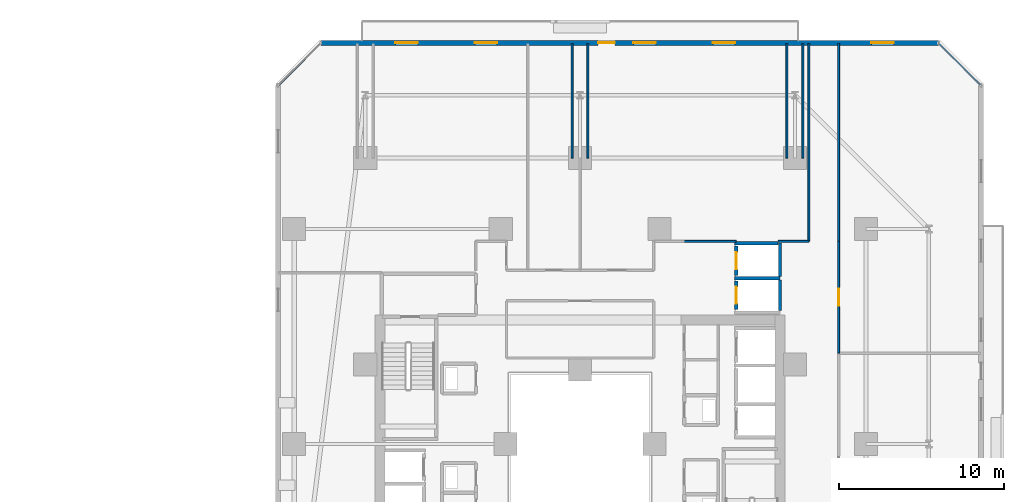
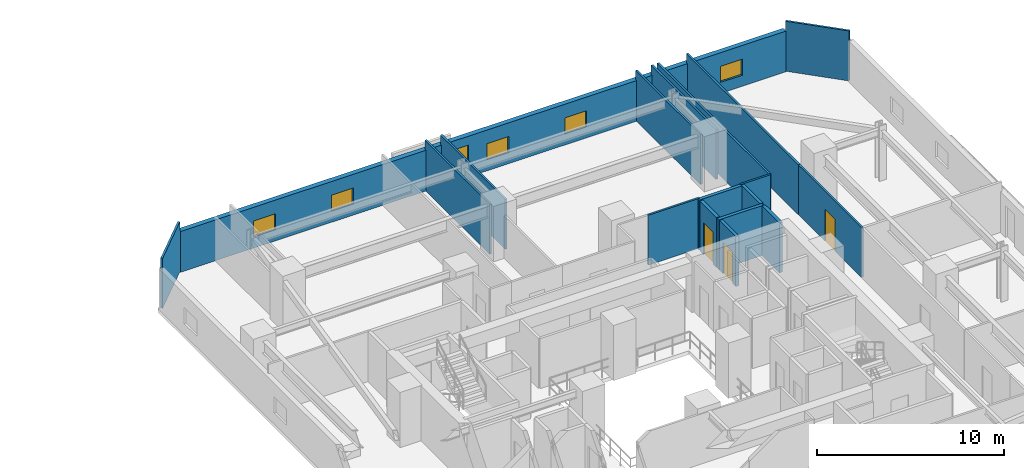
# One storey, part 28 of 36: 18 walls, 5 windows, 4 doors, 9 openings.
"""IFC4 building model written with IfcOpenShell, lengths in metres."""

from ifc_helpers import new_model, si_unit, direction, frame, frame_2d, origin, place, context, subcontext, project, spatial, rectangle, extrude, material, layer, layer_set, type_object, element, fill, save


model = new_model("IFC4")

# Units and contexts
model_context = context("Model", 3, precision=1e-05, world=origin(), true_north=direction((0.0, 1.0)))
body_context = subcontext(model_context, "Body", "Model", "MODEL_VIEW")
ifc_project = project(units=[si_unit("LENGTHUNIT", "METRE"), si_unit("AREAUNIT", "SQUARE_METRE"), si_unit("VOLUMEUNIT", "CUBIC_METRE"), si_unit("PLANEANGLEUNIT", "RADIAN"), si_unit("MASSUNIT", "GRAM", prefix="KILO")], contexts=[model_context])

# Site, building, storey
site_placement = place(None, origin())
site = spatial("IfcSite", under=ifc_project, at=site_placement, CompositionType="ELEMENT")
building_placement = place(site_placement, origin())
building = spatial("IfcBuilding", under=site, at=building_placement, Name="Thornwick Lancets Civic Towers", CompositionType="ELEMENT")
storey_placement = place(building_placement, frame((0.0, 0.0, 68.10009765625)))
storey = spatial("IfcBuildingStorey", under=building, at=storey_placement, Name="L17", CompositionType="ELEMENT", Elevation=68.10009765625)

# Wall, opening, door
ifc_material_1 = material(Name="Concrete blockwork C40/50", Category="masonry")
ifc_layer_1 = layer(ifc_material_1, 0.199951171875, Name="Concrete blockwork C40/50")
ifc_layer_set_1 = layer_set([ifc_layer_1], Name="Concrete blockwork C40/50")
wall_type_1 = type_object("IfcWallType", Name="WALL_COMP_200", PredefinedType="STANDARD", material=ifc_layer_set_1)
wall_1_placement = place(storey_placement, frame((97.949951171875, 36.8701171875, 0.0), z_axis=(0.0, 0.0, 1.0), x_axis=(0.0, -1.0, 0.0)))
wall_1 = element("IfcWall", 1, at=wall_1_placement, inside=storey, type_object=wall_type_1, Name="L17 Hoistway Front Wall PL-BL2", PredefinedType="STANDARD", context=body_context, shape_type="SweptSolid", body=[
    extrude(rectangle(XDim=1.740234375, YDim=0.199951171875, at=frame_2d((0.8701171875, 0.0))), origin(), (0.0, 0.0, 1.0), 3.260009765625),
])
opening_1_placement = place(wall_1_placement, frame((0.360107421875, 0.0, 0.0)))
opening_1 = element("IfcOpeningElement", 2, at=opening_1_placement, cuts=wall_1, Name="Opening LD-PL-BL2", PredefinedType="OPENING", context=body_context, shape_type="SweptSolid", body=[
    extrude(rectangle(XDim=1.02001953125, YDim=2.06005859375, at=frame_2d((0.510009765625, 1.030029296875))), frame((0.0, 0.10986328125, 0.0), z_axis=(0.0, -1.0, 0.0), x_axis=(1.0, 0.0, 0.0)), (0.0, 0.0, 1.0), 0.219970703125),
])
ifc_material_2 = material(Name="Brushed bronze stainless steel", Category="steel")
door_type_1 = type_object("IfcDoorType", Name="DOOR_LIFT_SLIDE", OperationType="SLIDING_TO_LEFT", PredefinedType="DOOR", material=ifc_material_2)
door_1_placement = place(opening_1_placement, origin())
door_1 = element("IfcDoor", 3, at=door_1_placement, inside=storey, type_object=door_type_1, Name="L17 Sliding Lift Landing Door LD-PL-BL2", OperationType="SLIDING_TO_LEFT", OverallHeight=2.06005859375, OverallWidth=1.02001953125, PredefinedType="DOOR", context=body_context, shape_type="SweptSolid", body=[
    extrude(rectangle(XDim=1.02001953125, YDim=2.06005859375, at=frame_2d((0.510009765625, 1.030029296875))), frame((0.0, 0.02490234375, 0.0), z_axis=(0.0, -1.0, 0.0), x_axis=(1.0, 0.0, 0.0)), (0.0, 0.0, 1.0), 0.050048828125),
])
fill(opening_1, door_1)

wall_2_placement = place(storey_placement, frame((97.949951171875, 38.969970703125, 0.0), z_axis=(0.0, 0.0, 1.0), x_axis=(0.0, -1.0, 0.0)))
wall_2 = element("IfcWall", 4, at=wall_2_placement, inside=storey, type_object=wall_type_1, Name="L17 Hoistway Front Wall PL-BL3", PredefinedType="STANDARD", context=body_context, shape_type="SweptSolid", body=[
    extrude(rectangle(XDim=1.7900390625, YDim=0.199951171875, at=frame_2d((0.89501953125, 0.0))), origin(), (0.0, 0.0, 1.0), 3.260009765625),
])
opening_2_placement = place(wall_2_placement, frame((0.385009765625, 0.0, 0.0)))
opening_2 = element("IfcOpeningElement", 5, at=opening_2_placement, cuts=wall_2, Name="Opening LD-PL-BL3", PredefinedType="OPENING", context=body_context, shape_type="SweptSolid", body=[
    extrude(rectangle(XDim=1.02001953125, YDim=2.06005859375, at=frame_2d((0.510009765625, 1.030029296875))), frame((0.0, 0.10986328125, 0.0), z_axis=(0.0, -1.0, 0.0), x_axis=(1.0, 0.0, 0.0)), (0.0, 0.0, 1.0), 0.219970703125),
])
door_2_placement = place(opening_2_placement, origin())
door_2 = element("IfcDoor", 6, at=door_2_placement, inside=storey, type_object=door_type_1, Name="L17 Sliding Lift Landing Door LD-PL-BL3", OperationType="SLIDING_TO_LEFT", OverallHeight=2.06005859375, OverallWidth=1.02001953125, PredefinedType="DOOR", context=body_context, shape_type="SweptSolid", body=[
    extrude(rectangle(XDim=1.02001953125, YDim=2.06005859375, at=frame_2d((0.510009765625, 1.030029296875))), frame((0.0, 0.02490234375, 0.0), z_axis=(0.0, -1.0, 0.0), x_axis=(1.0, 0.0, 0.0)), (0.0, 0.0, 1.0), 0.050048828125),
])
fill(opening_2, door_2)

# Walls
wall_3_placement = place(storey_placement, frame((97.85205078125, 37.02490234375, 0.0), z_axis=(0.0, 0.0, 1.0), x_axis=(1.0, 0.0, 0.0)))
element("IfcWall", 7, at=wall_3_placement, inside=storey, type_object=wall_type_1, Name="L17 Hoistway Shaft Wall PL-BL2 N", PredefinedType="STANDARD", context=body_context, shape_type="SweptSolid", body=[
    extrude(rectangle(XDim=2.745849609375, YDim=0.199951171875, at=frame_2d((1.373046875, 0.0))), origin(), (0.0, 0.0, 1.0), 3.260009765625),
])
wall_4_placement = place(storey_placement, frame((100.60009765625, 35.06201171875, 0.0), z_axis=(0.0, 0.0, 1.0), x_axis=(0.0, 1.0, 0.0)))
element("IfcWall", 8, at=wall_4_placement, inside=storey, type_object=wall_type_1, Name="L17 Hoistway Shaft Wall PL-BL2 E", PredefinedType="STANDARD", context=body_context, shape_type="SweptSolid", body=[
    extrude(rectangle(XDim=1.85595703125, YDim=0.199951171875, at=frame_2d((0.927978515625, 0.0))), origin(), (0.0, 0.0, 1.0), 3.260009765625),
])
wall_5_placement = place(storey_placement, frame((100.60009765625, 37.132080078125, 0.0), z_axis=(0.0, 0.0, 1.0), x_axis=(0.0, 1.0, 0.0)))
element("IfcWall", 9, at=wall_5_placement, inside=storey, type_object=wall_type_1, Name="L17 Hoistway Shaft Wall PL-BL2 E", PredefinedType="STANDARD", context=body_context, shape_type="SweptSolid", body=[
    extrude(rectangle(XDim=2.015869140625, YDim=0.199951171875, at=frame_2d((1.0078125, 0.0))), origin(), (0.0, 0.0, 1.0), 3.260009765625),
])
wall_6_placement = place(storey_placement, frame((97.85205078125, 39.14990234375, 0.0), z_axis=(0.0, 0.0, 1.0), x_axis=(1.0, 0.0, 0.0)))
element("IfcWall", 10, at=wall_6_placement, inside=storey, type_object=wall_type_1, Name="L17 Hoistway Shaft Wall PL-BL3 N", PredefinedType="STANDARD", context=body_context, shape_type="SweptSolid", body=[
    extrude(rectangle(XDim=2.635986328125, YDim=0.199951171875, at=frame_2d((1.31787109375, 0.0))), origin(), (0.0, 0.0, 1.0), 3.260009765625),
])

# Wall, openings, door, windows
ifc_material_3 = material(Name="Insulated russet terracotta rainscreen on concrete C40/50", Category="masonry")
ifc_layer_2 = layer(ifc_material_3, 0.300048828125, Name="Insulated russet terracotta rainscreen on concrete C40/50")
ifc_layer_set_2 = layer_set([ifc_layer_2], Name="Insulated russet terracotta rainscreen on concrete C40/50")
wall_type_2 = type_object("IfcWallType", Name="WALL_EXT_RUSSET_300", PredefinedType="STANDARD", material=ifc_layer_set_2)
wall_7_placement = place(storey_placement, frame((110.18115234375, 51.264892578125, 0.0), z_axis=(0.0, 0.0, 1.0), x_axis=(-1.0, 0.0, 0.0)))
wall_7 = element("IfcWall", 11, at=wall_7_placement, inside=storey, type_object=wall_type_2, Name="L17 Tower B Terracotta Facade Wall E4", PredefinedType="STANDARD", context=body_context, shape_type="SweptSolid", body=[
    extrude(rectangle(XDim=37.3623046875, YDim=0.300048828125, at=frame_2d((18.68115234375, 0.0))), origin(), (0.0, 0.0, 1.0), 2.659912109375),
])
opening_3_placement = place(wall_7_placement, frame((19.581298828125, 0.0, 0.0)))
opening_3 = element("IfcOpeningElement", 12, at=opening_3_placement, cuts=wall_7, Name="Opening D-BL-L17-BN", PredefinedType="OPENING", context=body_context, shape_type="SweptSolid", body=[
    extrude(rectangle(XDim=1.0, YDim=2.080078125, at=frame_2d((0.5, 1.0400390625))), frame((0.0, 0.16015625, 0.0), z_axis=(0.0, -1.0, 0.0), x_axis=(1.0, 0.0, 0.0)), (0.0, 0.0, 1.0), 0.320068359375),
])
opening_4_placement = place(wall_7_placement, frame((2.699951171875, 0.0, 0.719970703125)))
opening_4 = element("IfcOpeningElement", 13, at=opening_4_placement, cuts=wall_7, Name="Opening WL-03", PredefinedType="OPENING", context=body_context, shape_type="SweptSolid", body=[
    extrude(rectangle(XDim=1.35009765625, YDim=1.050048828125, at=frame_2d((0.675048828125, 0.52490234375))), frame((0.0, 0.16015625, 0.0), z_axis=(0.0, -1.0, 0.0), x_axis=(1.0, 0.0, 0.0)), (0.0, 0.0, 1.0), 0.320068359375),
])
opening_5_placement = place(wall_7_placement, frame((12.300048828125, 0.0, 0.719970703125)))
opening_5 = element("IfcOpeningElement", 14, at=opening_5_placement, cuts=wall_7, Name="Opening WL-03", PredefinedType="OPENING", context=body_context, shape_type="SweptSolid", body=[
    extrude(rectangle(XDim=1.35009765625, YDim=1.050048828125, at=frame_2d((0.675048828125, 0.52490234375))), frame((0.0, 0.16015625, 0.0), z_axis=(0.0, -1.0, 0.0), x_axis=(1.0, 0.0, 0.0)), (0.0, 0.0, 1.0), 0.320068359375),
])
opening_6_placement = place(wall_7_placement, frame((17.10009765625, 0.0, 0.719970703125)))
opening_6 = element("IfcOpeningElement", 15, at=opening_6_placement, cuts=wall_7, Name="Opening WL-03", PredefinedType="OPENING", context=body_context, shape_type="SweptSolid", body=[
    extrude(rectangle(XDim=1.35009765625, YDim=1.050048828125, at=frame_2d((0.675048828125, 0.52490234375))), frame((0.0, 0.16015625, 0.0), z_axis=(0.0, -1.0, 0.0), x_axis=(1.0, 0.0, 0.0)), (0.0, 0.0, 1.0), 0.320068359375),
])
opening_7_placement = place(wall_7_placement, frame((26.699951171875, 0.0, 0.719970703125)))
opening_7 = element("IfcOpeningElement", 16, at=opening_7_placement, cuts=wall_7, Name="Opening WL-03", PredefinedType="OPENING", context=body_context, shape_type="SweptSolid", body=[
    extrude(rectangle(XDim=1.35009765625, YDim=1.050048828125, at=frame_2d((0.675048828125, 0.52490234375))), frame((0.0, 0.16015625, 0.0), z_axis=(0.0, -1.0, 0.0), x_axis=(1.0, 0.0, 0.0)), (0.0, 0.0, 1.0), 0.320068359375),
])
opening_8_placement = place(wall_7_placement, frame((31.5, 0.0, 0.719970703125)))
opening_8 = element("IfcOpeningElement", 17, at=opening_8_placement, cuts=wall_7, Name="Opening WL-03", PredefinedType="OPENING", context=body_context, shape_type="SweptSolid", body=[
    extrude(rectangle(XDim=1.35009765625, YDim=1.050048828125, at=frame_2d((0.675048828125, 0.52490234375))), frame((0.0, 0.16015625, 0.0), z_axis=(0.0, -1.0, 0.0), x_axis=(1.0, 0.0, 0.0)), (0.0, 0.0, 1.0), 0.320068359375),
])
ifc_material_4 = material(Name="Thermally broken glazed loggia doorset")
door_type_2 = type_object("IfcDoorType", Name="DOOR_BALC_1000", OperationType="NOTDEFINED", PredefinedType="DOOR", material=ifc_material_4)
door_3_placement = place(opening_3_placement, origin())
door_3 = element("IfcDoor", 18, at=door_3_placement, inside=storey, type_object=door_type_2, Name="L17 Tower B Loggia Balcony Door N", OperationType="SINGLE_SWING_RIGHT", OverallHeight=2.080078125, OverallWidth=1.0, PredefinedType="DOOR", context=body_context, shape_type="SweptSolid", body=[
    extrude(rectangle(XDim=1.0, YDim=2.080078125, at=frame_2d((0.5, 1.0400390625))), frame((0.0, 0.02490234375, 0.0), z_axis=(0.0, -1.0, 0.0), x_axis=(1.0, 0.0, 0.0)), (0.0, 0.0, 1.0), 0.050048828125),
])
fill(opening_3, door_3)
ifc_material_5 = material(Name="Clear low-e double glazing clerestory lancet", Category="glass")
window_type = type_object("IfcWindowType", Name="WIN_LANCET_1350", PartitioningType="SINGLE_PANEL", PredefinedType="WINDOW", material=ifc_material_5)
window_1_placement = place(opening_4_placement, origin())
window_1 = element("IfcWindow", 19, at=window_1_placement, inside=storey, type_object=window_type, Name="L17 Tower B Staggered Lancet Window E4-1", OverallHeight=1.050048828125, OverallWidth=1.35009765625, PartitioningType="SINGLE_PANEL", PredefinedType="WINDOW", context=body_context, shape_type="SweptSolid", body=[
    extrude(rectangle(XDim=1.35009765625, YDim=1.050048828125, at=frame_2d((0.675048828125, 0.52490234375))), frame((0.0, 0.030029296875, 0.0), z_axis=(0.0, -1.0, 0.0), x_axis=(1.0, 0.0, 0.0)), (0.0, 0.0, 1.0), 0.06005859375),
])
fill(opening_4, window_1)
window_2_placement = place(opening_5_placement, origin())
window_2 = element("IfcWindow", 20, at=window_2_placement, inside=storey, type_object=window_type, Name="L17 Tower B Staggered Lancet Window E4-2", OverallHeight=1.050048828125, OverallWidth=1.35009765625, PartitioningType="SINGLE_PANEL", PredefinedType="WINDOW", context=body_context, shape_type="SweptSolid", body=[
    extrude(rectangle(XDim=1.35009765625, YDim=1.050048828125, at=frame_2d((0.675048828125, 0.52490234375))), frame((0.0, 0.030029296875, 0.0), z_axis=(0.0, -1.0, 0.0), x_axis=(1.0, 0.0, 0.0)), (0.0, 0.0, 1.0), 0.06005859375),
])
fill(opening_5, window_2)
window_3_placement = place(opening_6_placement, origin())
window_3 = element("IfcWindow", 21, at=window_3_placement, inside=storey, type_object=window_type, Name="L17 Tower B Staggered Lancet Window E4-3", OverallHeight=1.050048828125, OverallWidth=1.35009765625, PartitioningType="SINGLE_PANEL", PredefinedType="WINDOW", context=body_context, shape_type="SweptSolid", body=[
    extrude(rectangle(XDim=1.35009765625, YDim=1.050048828125, at=frame_2d((0.675048828125, 0.52490234375))), frame((0.0, 0.030029296875, 0.0), z_axis=(0.0, -1.0, 0.0), x_axis=(1.0, 0.0, 0.0)), (0.0, 0.0, 1.0), 0.06005859375),
])
fill(opening_6, window_3)
window_4_placement = place(opening_7_placement, origin())
window_4 = element("IfcWindow", 22, at=window_4_placement, inside=storey, type_object=window_type, Name="L17 Tower B Staggered Lancet Window E4-4", OverallHeight=1.050048828125, OverallWidth=1.35009765625, PartitioningType="SINGLE_PANEL", PredefinedType="WINDOW", context=body_context, shape_type="SweptSolid", body=[
    extrude(rectangle(XDim=1.35009765625, YDim=1.050048828125, at=frame_2d((0.675048828125, 0.52490234375))), frame((0.0, 0.030029296875, 0.0), z_axis=(0.0, -1.0, 0.0), x_axis=(1.0, 0.0, 0.0)), (0.0, 0.0, 1.0), 0.06005859375),
])
fill(opening_7, window_4)
window_5_placement = place(opening_8_placement, origin())
window_5 = element("IfcWindow", 23, at=window_5_placement, inside=storey, type_object=window_type, Name="L17 Tower B Staggered Lancet Window E4-5", OverallHeight=1.050048828125, OverallWidth=1.35009765625, PartitioningType="SINGLE_PANEL", PredefinedType="WINDOW", context=body_context, shape_type="SweptSolid", body=[
    extrude(rectangle(XDim=1.35009765625, YDim=1.050048828125, at=frame_2d((0.675048828125, 0.52490234375))), frame((0.0, 0.030029296875, 0.0), z_axis=(0.0, -1.0, 0.0), x_axis=(1.0, 0.0, 0.0)), (0.0, 0.0, 1.0), 0.06005859375),
])
fill(opening_8, window_5)

# Walls
ifc_material_6 = material(Name="Acoustic gypsum board partition")
ifc_layer_3 = layer(ifc_material_6, 0.1201171875, Name="Acoustic gypsum board partition")
ifc_layer_set_3 = layer_set([ifc_layer_3], Name="Acoustic gypsum board partition")
wall_type_3 = type_object("IfcWallType", Name="WALL_PART_120", PredefinedType="PARTITIONING", material=ifc_layer_set_3)
wall_8_placement = place(storey_placement, frame((97.949951171875, 39.25, 0.0), z_axis=(0.0, 0.0, 1.0), x_axis=(-1.0, 0.0, 0.0)))
element("IfcWall", 24, at=wall_8_placement, inside=storey, type_object=wall_type_3, Name="L17 Partition L17-B-E1 E1", PredefinedType="PARTITIONING", context=body_context, shape_type="SweptSolid", body=[
    extrude(rectangle(XDim=3.14990234375, YDim=0.1201171875, at=frame_2d((1.574951171875, 0.0))), origin(), (0.0, 0.0, 1.0), 3.260009765625),
])
for number, where, z_axis, x_axis, name in (
    (25, (88.97998046875, 44.300048828125, 0.0), (0.0, 0.0, 1.0), (0.0, 1.0, 0.0), "L17 Partition L17-B-E1 E7"),
    (26, (101.02001953125, 51.219970703125, 0.0), (0.0, 0.0, 1.0), (0.0, -1.0, 0.0), "L17 Partition L17-B-E1 E9"),
    (27, (101.97998046875, 44.300048828125, 0.0), (0.0, 0.0, 1.0), (0.0, 1.0, 0.0), "L17 Partition L17-B-E1 E11"),
):
    element("IfcWall", number, at=place(storey_placement, frame(where, z_axis=z_axis, x_axis=x_axis)), inside=storey, type_object=wall_type_3, Name=name, PredefinedType="PARTITIONING", context=body_context, shape_type="SweptSolid", body=[
        extrude(rectangle(XDim=6.919921875, YDim=0.1201171875, at=frame_2d((3.4599609375, 0.0))), origin(), (0.0, 0.0, 1.0), 3.260009765625),
    ])
wall_9_placement = place(storey_placement, frame((102.35009765625, 51.219970703125, 0.0), z_axis=(0.0, 0.0, 1.0), x_axis=(0.0, -1.0, 0.0)))
element("IfcWall", 28, at=wall_9_placement, inside=storey, type_object=wall_type_3, Name="L17 Partition L17-B-E1 E13", PredefinedType="PARTITIONING", context=body_context, shape_type="SweptSolid", body=[
    extrude(rectangle(XDim=11.969970703125, YDim=0.1201171875, at=frame_2d((5.98486328125, 0.0))), origin(), (0.0, 0.0, 1.0), 3.260009765625),
])
wall_10_placement = place(storey_placement, frame((102.35009765625, 39.25, 0.0), z_axis=(0.0, 0.0, 1.0), x_axis=(-1.0, 0.0, 0.0)))
element("IfcWall", 29, at=wall_10_placement, inside=storey, type_object=wall_type_3, Name="L17 Partition L17-B-E1 E14", PredefinedType="PARTITIONING", context=body_context, shape_type="SweptSolid", body=[
    extrude(rectangle(XDim=1.862060546875, YDim=0.1201171875, at=frame_2d((0.93115234375, 0.0))), origin(), (0.0, 0.0, 1.0), 3.260009765625),
])
wall_11_placement = place(storey_placement, frame((88.02001953125, 51.219970703125, 0.0), z_axis=(0.0, 0.0, 1.0), x_axis=(0.0, -1.0, 0.0)))
element("IfcWall", 30, at=wall_11_placement, inside=storey, type_object=wall_type_3, Name="L17 Partition L17-B-E2 E3", PredefinedType="PARTITIONING", context=body_context, shape_type="SweptSolid", body=[
    extrude(rectangle(XDim=6.919921875, YDim=0.1201171875, at=frame_2d((3.4599609375, 0.0))), origin(), (0.0, 0.0, 1.0), 3.260009765625),
])
wall_12_placement = place(storey_placement, frame((70.280029296875, 48.725341796875, 0.0), z_axis=(0.0, 0.0, 1.0), x_axis=(0.707106781187, 0.707106781187, 0.0)))
element("IfcWall", 31, at=wall_12_placement, inside=storey, type_object=wall_type_3, Name="L17 Partition L17-B-E3 E11", PredefinedType="PARTITIONING", context=body_context, shape_type="SweptSolid", body=[
    extrude(rectangle(XDim=3.52783203125, YDim=0.1201171875, at=frame_2d((1.763916015625, 0.0))), origin(), (0.0, 0.0, 1.0), 3.260009765625),
])

# Wall, opening, door
wall_13_placement = place(storey_placement, frame((104.14990234375, 32.5, 0.0), z_axis=(0.0, 0.0, 1.0), x_axis=(0.0, 1.0, 0.0)))
wall_13 = element("IfcWall", 32, at=wall_13_placement, inside=storey, type_object=wall_type_3, Name="L17 Partition L17-B-S-OFF2 E1", PredefinedType="PARTITIONING", context=body_context, shape_type="SweptSolid", body=[
    extrude(rectangle(XDim=6.75, YDim=0.1201171875, at=frame_2d((3.375, 0.0))), origin(), (0.0, 0.0, 1.0), 3.260009765625),
])
opening_9_placement = place(wall_13_placement, frame((2.85009765625, 0.0, 0.0)))
opening_9 = element("IfcOpeningElement", 33, at=opening_9_placement, cuts=wall_13, Name="Opening D-L17-0844", PredefinedType="OPENING", context=body_context, shape_type="SweptSolid", body=[
    extrude(rectangle(XDim=1.050048828125, YDim=2.10009765625, at=frame_2d((0.52490234375, 1.050048828125))), frame((0.0, 0.070068359375, 0.0), z_axis=(0.0, -1.0, 0.0), x_axis=(1.0, 0.0, 0.0)), (0.0, 0.0, 1.0), 0.14013671875),
])
ifc_material_7 = material(Name="Glazed European oak executive doorset")
door_type_3 = type_object("IfcDoorType", Name="DOOR_OFFICE_1050", OperationType="NOTDEFINED", PredefinedType="DOOR", material=ifc_material_7)
door_4_placement = place(opening_9_placement, origin())
door_4 = element("IfcDoor", 34, at=door_4_placement, inside=storey, type_object=door_type_3, Name="L17 Tower B South-East Division Office Door", OperationType="SINGLE_SWING_LEFT", OverallHeight=2.10009765625, OverallWidth=1.050048828125, PredefinedType="DOOR", context=body_context, shape_type="SweptSolid", body=[
    extrude(rectangle(XDim=1.050048828125, YDim=2.10009765625, at=frame_2d((0.52490234375, 1.050048828125))), frame((0.0, 0.02490234375, 0.0), z_axis=(0.0, -1.0, 0.0), x_axis=(1.0, 0.0, 0.0)), (0.0, 0.0, 1.0), 0.050048828125),
])
fill(opening_9, door_4)

# Walls
wall_14_placement = place(storey_placement, frame((104.14990234375, 39.25, 0.0), z_axis=(0.0, 0.0, 1.0), x_axis=(0.0, 1.0, 0.0)))
element("IfcWall", 35, at=wall_14_placement, inside=storey, type_object=wall_type_3, Name="L17 Partition L17-B-S-OFF2 E2", PredefinedType="PARTITIONING", context=body_context, shape_type="SweptSolid", body=[
    extrude(rectangle(XDim=11.969970703125, YDim=0.1201171875, at=frame_2d((5.98486328125, 0.0))), origin(), (0.0, 0.0, 1.0), 3.260009765625),
])
wall_15_placement = place(storey_placement, frame((110.225341796875, 51.219970703125, 0.0), z_axis=(0.0, 0.0, 1.0), x_axis=(0.707106781187, -0.707106781187, 0.0)))
element("IfcWall", 36, at=wall_15_placement, inside=storey, type_object=wall_type_3, Name="L17 Partition L17-B-S-OFF2 E4", PredefinedType="PARTITIONING", context=body_context, shape_type="SweptSolid", body=[
    extrude(rectangle(XDim=3.52783203125, YDim=0.1201171875, at=frame_2d((1.763916015625, 0.0))), origin(), (0.0, 0.0, 1.0), 3.260009765625),
])

save(model, "model.ifc")
